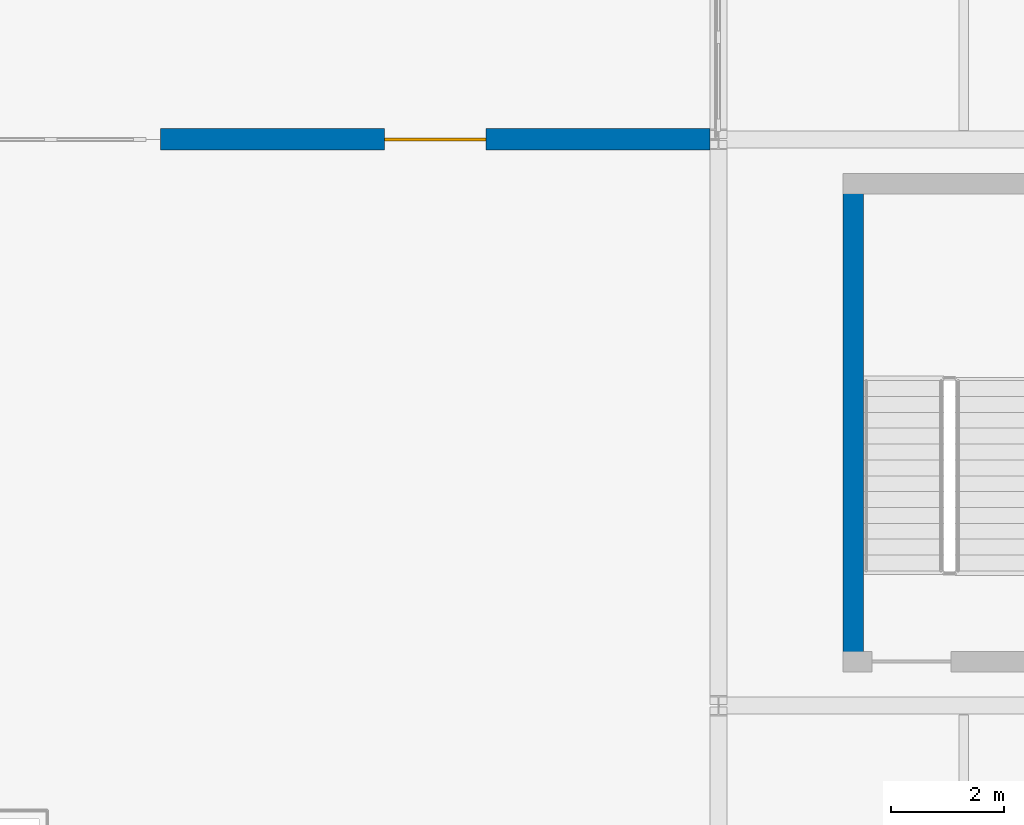
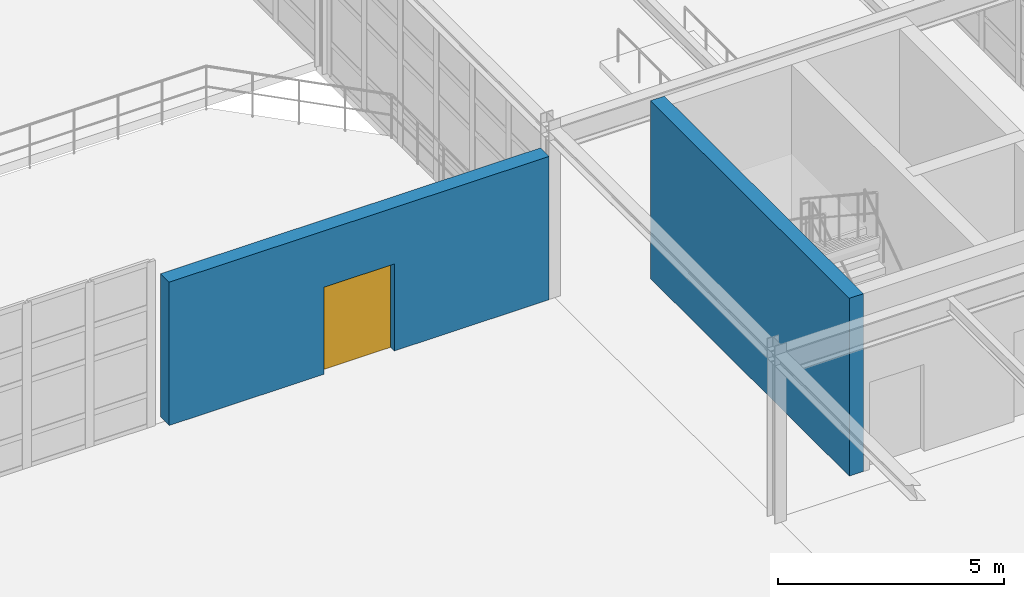
# One storey, part 120 of 139: 2 walls, 1 door, 1 opening.
"""IFC4 building model written with IfcOpenShell, lengths in metres."""

from ifc_helpers import new_model, si_unit, direction, frame, frame_2d, origin, place, context, subcontext, project, spatial, rectangle, extrude, material, layer, layer_set, type_object, element, fill, save


model = new_model("IFC4")

# Units and contexts
model_context = context("Model", 3, precision=1e-05, world=origin(), true_north=direction((0.0, 1.0)))
body_context = subcontext(model_context, "Body", "Model", "MODEL_VIEW")
ifc_project = project(units=[si_unit("LENGTHUNIT", "METRE"), si_unit("AREAUNIT", "SQUARE_METRE"), si_unit("VOLUMEUNIT", "CUBIC_METRE"), si_unit("PLANEANGLEUNIT", "RADIAN"), si_unit("MASSUNIT", "GRAM", prefix="KILO"), si_unit("THERMODYNAMICTEMPERATUREUNIT", "KELVIN"), si_unit("POWERUNIT", "WATT")], contexts=[model_context])

# Site, building, storey
site_placement = place(None, origin())
site = spatial("IfcSite", under=ifc_project, at=site_placement, CompositionType="ELEMENT")
building_placement = place(site_placement, origin())
building = spatial("IfcBuilding", under=site, at=building_placement, Name="Korenveer Ferry Terminal", CompositionType="ELEMENT")
storey_placement = place(building_placement, frame((0.0, 0.0, 5.39990234375)))
storey = spatial("IfcBuildingStorey", under=building, at=storey_placement, Name="L01", CompositionType="ELEMENT", Elevation=5.39990234375)

# Wall, opening, door
ifc_material_1 = material(Name="Insulated clinker brick masonry", Category="masonry")
ifc_layer_1 = layer(ifc_material_1, 0.3798828125)
ifc_layer_set_1 = layer_set([ifc_layer_1], Name="Insulated clinker brick masonry")
wall_type_1 = type_object("IfcWallType", Name="ENV-WL-BRK380", PredefinedType="SOLIDWALL", material=ifc_layer_set_1)
wall_1_placement = place(storey_placement, frame((113.14990234375, 90.0, 0.0), z_axis=(0.0, 0.0, 1.0), x_axis=(1.0, 0.0, 0.0)))
wall_1 = element("IfcWall", 1, at=wall_1_placement, inside=storey, type_object=wall_type_1, Name="Exterior facade wall EWL-L01-047", PredefinedType="SOLIDWALL", context=body_context, shape_type="SweptSolid", body=[
    extrude(rectangle(XDim=9.7001953125, YDim=0.3798828125, at=frame_2d((4.85009765625, 0.0))), origin(), (0.0, 0.0, 1.0), 3.8701171875),
])
opening_placement = place(wall_1_placement, frame((3.949951171875, 0.0, 0.0)))
opening = element("IfcOpeningElement", 2, at=opening_placement, cuts=wall_1, Name="Opening TD-104", PredefinedType="OPENING", context=body_context, shape_type="SweptSolid", body=[
    extrude(rectangle(XDim=1.800048828125, YDim=2.35009765625, at=frame_2d((0.89990234375, 1.175048828125))), frame((0.0, 0.199951171875, 0.0), z_axis=(0.0, -1.0, 0.0), x_axis=(1.0, 0.0, 0.0)), (0.0, 0.0, 1.0), 0.39990234375),
])
ifc_material_2 = material(Name="Thermally broken bronze glazed door", Category="aluminium")
door_type = type_object("IfcDoorType", Name="ENV-DR-TERR180", OperationType="DOUBLE_DOOR_SINGLE_SWING", PredefinedType="DOOR", material=ifc_material_2)
door_placement = place(opening_placement, origin())
door = element("IfcDoor", 3, at=door_placement, inside=storey, type_object=door_type, Name="East Prow Terrace Door TD-104", OperationType="DOUBLE_DOOR_SINGLE_SWING", OverallHeight=2.35009765625, OverallWidth=1.800048828125, PredefinedType="DOOR", context=body_context, shape_type="SweptSolid", body=[
    extrude(rectangle(XDim=1.800048828125, YDim=2.35009765625, at=frame_2d((0.89990234375, 1.175048828125))), frame((0.0, 0.02490234375, 0.0), z_axis=(0.0, -1.0, 0.0), x_axis=(1.0, 0.0, 0.0)), (0.0, 0.0, 1.0), 0.050048828125),
])
fill(opening, door)

# Wall
ifc_material_3 = material(Name="Concrete C45/55", Category="concrete")
ifc_layer_2 = layer(ifc_material_3, 0.360107421875)
ifc_layer_set_2 = layer_set([ifc_layer_2], Name="Concrete C45/55")
wall_type_2 = type_object("IfcWallType", Name="INT-WL-CORE360", PredefinedType="SHEAR", material=ifc_layer_set_2)
wall_2_placement = place(storey_placement, frame((125.3798828125, 80.60009765625, 0.0), z_axis=(0.0, 0.0, 1.0), x_axis=(0.0, 1.0, 0.0)))
element("IfcWall", 4, at=wall_2_placement, inside=storey, type_object=wall_type_2, Name="East Berth Pier Core K8 west shear wall L01", PredefinedType="SHEAR", context=body_context, shape_type="SweptSolid", body=[
    extrude(rectangle(XDim=8.7998046875, YDim=0.360107421875, at=frame_2d((4.39990234375, 0.0))), origin(), (0.0, 0.0, 1.0), 4.800048828125),
])

save(model, "model.ifc")
